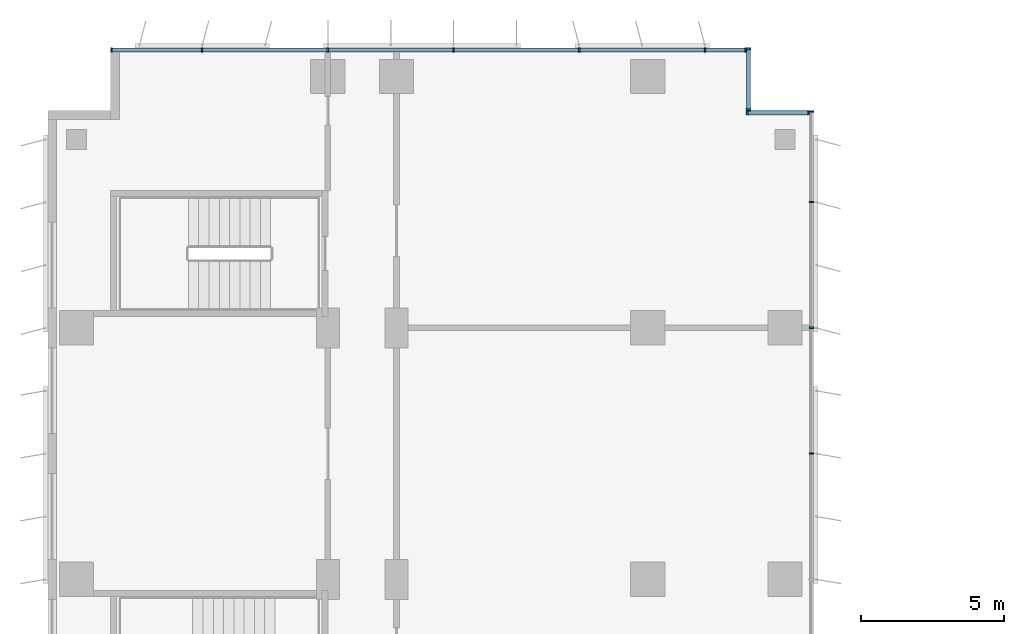
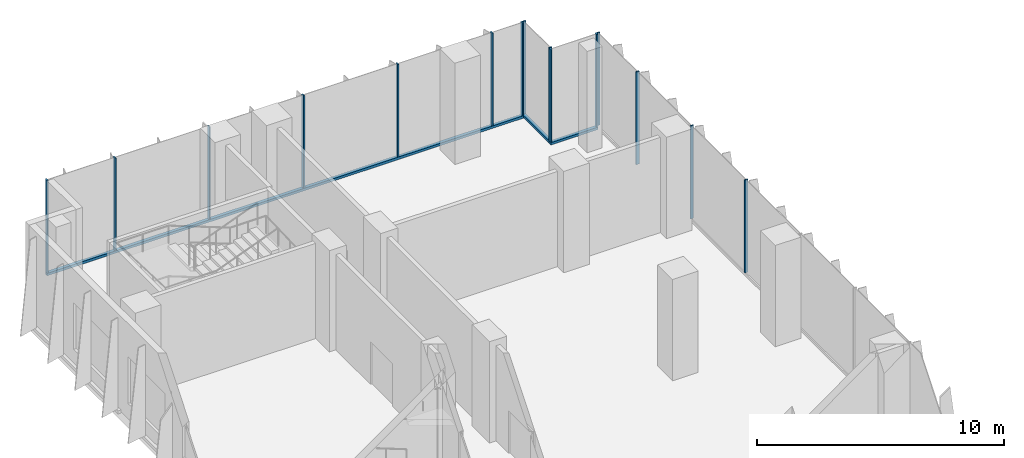
# One storey, part 9 of 21: 18 members, 4 elements without a shape of their own.
"""IFC4 building model written with IfcOpenShell, lengths in metres."""

from ifc_helpers import new_model, si_unit, direction, frame, origin, origin_2d, place, context, subcontext, project, spatial, rectangle, extrude, source, transform, mapped, material, material_profile, profile_set, type_object, element, aggregate, save


model = new_model("IFC4")

# Units and contexts
model_context = context("Model", 3, precision=1e-05, world=origin(), true_north=direction((0.0, 1.0)))
body_context = subcontext(model_context, "Body", "Model", "MODEL_VIEW")
ifc_project = project(units=[si_unit("LENGTHUNIT", "METRE"), si_unit("AREAUNIT", "SQUARE_METRE"), si_unit("VOLUMEUNIT", "CUBIC_METRE"), si_unit("PLANEANGLEUNIT", "RADIAN"), si_unit("MASSUNIT", "GRAM", prefix="KILO")], contexts=[model_context])

# Site, building, storey
site_placement = place(None, origin())
site = spatial("IfcSite", under=ifc_project, at=site_placement, CompositionType="ELEMENT")
building_placement = place(site_placement, origin())
building = spatial("IfcBuilding", under=site, at=building_placement, Name="Kemantara Hotel Tower", CompositionType="ELEMENT")
storey_placement = place(building_placement, frame((0.0, 0.0, 133.300048828125)))
storey = spatial("IfcBuildingStorey", under=building, at=storey_placement, Name="L32", CompositionType="ELEMENT", Elevation=133.300048828125)

# Curtain wall, member
ifc_material_1 = material(Name="Low-E tinted double insulated glass 36 mm", Category="glass")
curtain_wall_type = type_object("IfcCurtainWallType", Name="TOWER CURTAIN WALL, FRONT FACES", PredefinedType="USERDEFINED", material=ifc_material_1)
curtain_wall_1_placement = place(storey_placement, origin())
curtain_wall_1 = element("IfcCurtainWall", 1, at=curtain_wall_1_placement, inside=storey, type_object=curtain_wall_type, Name="CW4 L32 T2-R01-1", ObjectType="TOWER CURTAIN WALL, FRONT FACES", PredefinedType="USERDEFINED")
ifc_material_2 = material(Name="Aluminium 6063-T6 bronze anodised", Category="aluminium")
ifc_material_profile_1 = material_profile(ifc_material_2, rectangle(XDim=0.14990234375, YDim=0.1201171875, at=origin_2d()), Name="TOWER CURTAIN WALL, FRONT FACES TRANSOM")
ifc_profile_set_1 = profile_set([ifc_material_profile_1], Name="Aluminium 6063-T6 bronze anodised")
member_type_1 = type_object("IfcMemberType", Name="TOWER CURTAIN WALL, FRONT FACES TRANSOM", PredefinedType="USERDEFINED", material=ifc_profile_set_1)
member_1_placement = place(storey_placement, frame((24.449951171875, 81.125, 0.06005859375), z_axis=(-1.0, 0.0, 0.0), x_axis=(0.0, -1.0, 0.0)))
member_1 = element("IfcMember", 2, at=member_1_placement, type_object=member_type_1, Name="CW4 sill transom T2-R01-1", ObjectType="TRANSOM", PredefinedType="USERDEFINED", context=body_context, shape_type="SweptSolid", body=[
    extrude(rectangle(XDim=0.14990234375, YDim=0.1201171875, at=origin_2d()), origin(), (0.0, 0.0, 1.0), 22.25),
])

curtain_wall_2_placement = place(storey_placement, origin())
curtain_wall_2 = element("IfcCurtainWall", 3, at=curtain_wall_2_placement, inside=storey, type_object=curtain_wall_type, Name="CW4 L32 T2-R00-1", ObjectType="TOWER CURTAIN WALL, FRONT FACES", PredefinedType="USERDEFINED")
member_2_placement = place(storey_placement, frame((24.52490234375, 79.0, 0.06005859375), z_axis=(0.0, 1.0, 0.0), x_axis=(-1.0, 0.0, 0.0)))
member_2 = element("IfcMember", 4, at=member_2_placement, type_object=member_type_1, Name="CW4 sill transom T2-R00-1", ObjectType="TRANSOM", PredefinedType="USERDEFINED", context=body_context, shape_type="SweptSolid", body=[
    extrude(rectangle(XDim=0.14990234375, YDim=0.1201171875, at=origin_2d()), origin(), (0.0, 0.0, 1.0), 2.199951171875),
])

curtain_wall_3_placement = place(storey_placement, origin())
curtain_wall_3 = element("IfcCurtainWall", 5, at=curtain_wall_3_placement, inside=storey, type_object=curtain_wall_type, Name="CW4 L32 T2-R15-1", ObjectType="TOWER CURTAIN WALL, FRONT FACES", PredefinedType="USERDEFINED")
member_3_placement = place(storey_placement, frame((26.64990234375, 78.925048828125, 0.06005859375), z_axis=(-1.0, 0.0, 0.0), x_axis=(0.0, -1.0, 0.0)))
member_3 = element("IfcMember", 6, at=member_3_placement, type_object=member_type_1, Name="CW4 sill transom T2-R15-1", ObjectType="TRANSOM", PredefinedType="USERDEFINED", context=body_context, shape_type="SweptSolid", body=[
    extrude(rectangle(XDim=0.14990234375, YDim=0.1201171875, at=origin_2d()), origin(), (0.0, 0.0, 1.0), 2.199951171875),
])

# Member
ifc_material_profile_2 = material_profile(ifc_material_2, rectangle(XDim=0.14990234375, YDim=0.06005859375, at=origin_2d()), Name="TOWER CURTAIN WALL, FRONT FACES MULLION")
ifc_profile_set_2 = profile_set([ifc_material_profile_2], Name="Aluminium 6063-T6 bronze anodised")
member_type_2 = type_object("IfcMemberType", Name="TOWER CURTAIN WALL, FRONT FACES MULLION", PredefinedType="MULLION", material=ifc_profile_set_2)
shared_shape = source(origin(), body_context, "Body", "SweptSolid", [
    extrude(rectangle(XDim=0.14990234375, YDim=0.06005859375, at=origin_2d()), origin(), (0.0, 0.0, 1.0), 4.580078125),
])
member_4_placement = place(storey_placement, frame((24.419921875, 81.125, 0.119873046875), z_axis=(0.0, 0.0, 1.0), x_axis=(0.0, -1.0, 0.0)))
member_4 = element("IfcMember", 7, at=member_4_placement, type_object=member_type_2, Name="CW4 mullion T2-R01-1.1", PredefinedType="MULLION", context=body_context, shape_type="MappedRepresentation", body=[
    mapped(shared_shape, transform((0.0, 0.0, 0.0))),
])

member_5_placement = place(storey_placement, frame((23.0, 81.125, 0.119873046875), z_axis=(0.0, 0.0, 1.0), x_axis=(0.0, -1.0, 0.0)))
member_5 = element("IfcMember", 8, at=member_5_placement, type_object=member_type_2, Name="CW4 mullion T2-R01-1.2", PredefinedType="MULLION", context=body_context, shape_type="MappedRepresentation", body=[
    mapped(shared_shape, transform((0.0, 0.0, 0.0))),
])

member_6_placement = place(storey_placement, frame((18.60009765625, 81.125, 0.119873046875), z_axis=(0.0, 0.0, 1.0), x_axis=(0.0, -1.0, 0.0)))
member_6 = element("IfcMember", 9, at=member_6_placement, type_object=member_type_2, Name="CW4 mullion T2-R01-1.3", PredefinedType="MULLION", context=body_context, shape_type="MappedRepresentation", body=[
    mapped(shared_shape, transform((0.0, 0.0, 0.0))),
])

member_7_placement = place(storey_placement, frame((14.199951171875, 81.125, 0.119873046875), z_axis=(0.0, 0.0, 1.0), x_axis=(0.0, -1.0, 0.0)))
member_7 = element("IfcMember", 10, at=member_7_placement, type_object=member_type_2, Name="CW4 mullion T2-R01-1.4", PredefinedType="MULLION", context=body_context, shape_type="MappedRepresentation", body=[
    mapped(shared_shape, transform((0.0, 0.0, 0.0))),
])

member_8_placement = place(storey_placement, frame((9.800048828125, 81.125, 0.119873046875), z_axis=(0.0, 0.0, 1.0), x_axis=(0.0, -1.0, 0.0)))
member_8 = element("IfcMember", 11, at=member_8_placement, type_object=member_type_2, Name="CW4 mullion T2-R01-1.5", PredefinedType="MULLION", context=body_context, shape_type="MappedRepresentation", body=[
    mapped(shared_shape, transform((0.0, 0.0, 0.0))),
])

member_9_placement = place(storey_placement, frame((5.39990234375, 81.125, 0.119873046875), z_axis=(0.0, 0.0, 1.0), x_axis=(0.0, -1.0, 0.0)))
member_9 = element("IfcMember", 12, at=member_9_placement, type_object=member_type_2, Name="CW4 mullion T2-R01-1.6", PredefinedType="MULLION", context=body_context, shape_type="MappedRepresentation", body=[
    mapped(shared_shape, transform((0.0, 0.0, 0.0))),
])

member_10_placement = place(storey_placement, frame((2.22998046875, 81.125, 0.119873046875), z_axis=(0.0, 0.0, 1.0), x_axis=(0.0, -1.0, 0.0)))
member_10 = element("IfcMember", 13, at=member_10_placement, type_object=member_type_2, Name="CW4 mullion T2-R01-1.7", PredefinedType="MULLION", context=body_context, shape_type="MappedRepresentation", body=[
    mapped(shared_shape, transform((0.0, 0.0, 0.0))),
])

aggregate(curtain_wall_1, [member_1, member_4, member_5, member_6, member_7, member_8, member_9, member_10])

# Curtain wall, members
curtain_wall_4_placement = place(storey_placement, origin())
curtain_wall_4 = element("IfcCurtainWall", 14, at=curtain_wall_4_placement, inside=storey, type_object=curtain_wall_type, Name="CW4 L32 T2-R14-1", ObjectType="TOWER CURTAIN WALL, FRONT FACES", PredefinedType="USERDEFINED")
member_11_placement = place(storey_placement, frame((26.72509765625, 67.0, 0.119873046875), z_axis=(0.0, 0.0, 1.0), x_axis=(-1.0, 0.0, 0.0)))
member_11 = element("IfcMember", 15, at=member_11_placement, type_object=member_type_2, Name="CW4 mullion T2-R14-1.12", PredefinedType="MULLION", context=body_context, shape_type="MappedRepresentation", body=[
    mapped(shared_shape, transform((0.0, 0.0, 0.0))),
])
member_12_placement = place(storey_placement, frame((26.72509765625, 71.39990234375, 0.119873046875), z_axis=(0.0, 0.0, 1.0), x_axis=(-1.0, 0.0, 0.0)))
member_12 = element("IfcMember", 16, at=member_12_placement, type_object=member_type_2, Name="CW4 mullion T2-R14-1.13", PredefinedType="MULLION", context=body_context, shape_type="MappedRepresentation", body=[
    mapped(shared_shape, transform((0.0, 0.0, 0.0))),
])
member_13_placement = place(storey_placement, frame((26.72509765625, 75.800048828125, 0.119873046875), z_axis=(0.0, 0.0, 1.0), x_axis=(-1.0, 0.0, 0.0)))
member_13 = element("IfcMember", 17, at=member_13_placement, type_object=member_type_2, Name="CW4 mullion T2-R14-1.14", PredefinedType="MULLION", context=body_context, shape_type="MappedRepresentation", body=[
    mapped(shared_shape, transform((0.0, 0.0, 0.0))),
])
member_14_placement = place(storey_placement, frame((26.72509765625, 78.969970703125, 0.119873046875), z_axis=(0.0, 0.0, 1.0), x_axis=(-1.0, 0.0, 0.0)))
member_14 = element("IfcMember", 18, at=member_14_placement, type_object=member_type_2, Name="CW4 mullion T2-R14-1.15", PredefinedType="MULLION", context=body_context, shape_type="MappedRepresentation", body=[
    mapped(shared_shape, transform((0.0, 0.0, 0.0))),
])
aggregate(curtain_wall_4, [member_11, member_12, member_13, member_14])

# Member
member_15_placement = place(storey_placement, frame((24.52490234375, 79.030029296875, 0.119873046875), z_axis=(0.0, 0.0, 1.0), x_axis=(-1.0, 0.0, 0.0)))
member_15 = element("IfcMember", 19, at=member_15_placement, type_object=member_type_2, Name="CW4 mullion T2-R00-1.1", PredefinedType="MULLION", context=body_context, shape_type="MappedRepresentation", body=[
    mapped(shared_shape, transform((0.0, 0.0, 0.0))),
])

member_16_placement = place(storey_placement, frame((24.52490234375, 81.169921875, 0.119873046875), z_axis=(0.0, 0.0, 1.0), x_axis=(-1.0, 0.0, 0.0)))
member_16 = element("IfcMember", 20, at=member_16_placement, type_object=member_type_2, Name="CW4 mullion T2-R00-1.2", PredefinedType="MULLION", context=body_context, shape_type="MappedRepresentation", body=[
    mapped(shared_shape, transform((0.0, 0.0, 0.0))),
])

aggregate(curtain_wall_2, [member_2, member_15, member_16])

member_17_placement = place(storey_placement, frame((26.6201171875, 78.925048828125, 0.119873046875), z_axis=(0.0, 0.0, 1.0), x_axis=(0.0, -1.0, 0.0)))
member_17 = element("IfcMember", 21, at=member_17_placement, type_object=member_type_2, Name="CW4 mullion T2-R15-1.1", PredefinedType="MULLION", context=body_context, shape_type="MappedRepresentation", body=[
    mapped(shared_shape, transform((0.0, 0.0, 0.0))),
])

member_18_placement = place(storey_placement, frame((24.47998046875, 78.925048828125, 0.119873046875), z_axis=(0.0, 0.0, 1.0), x_axis=(0.0, -1.0, 0.0)))
member_18 = element("IfcMember", 22, at=member_18_placement, type_object=member_type_2, Name="CW4 mullion T2-R15-1.2", PredefinedType="MULLION", context=body_context, shape_type="MappedRepresentation", body=[
    mapped(shared_shape, transform((0.0, 0.0, 0.0))),
])

aggregate(curtain_wall_3, [member_3, member_17, member_18])

save(model, "model.ifc")
